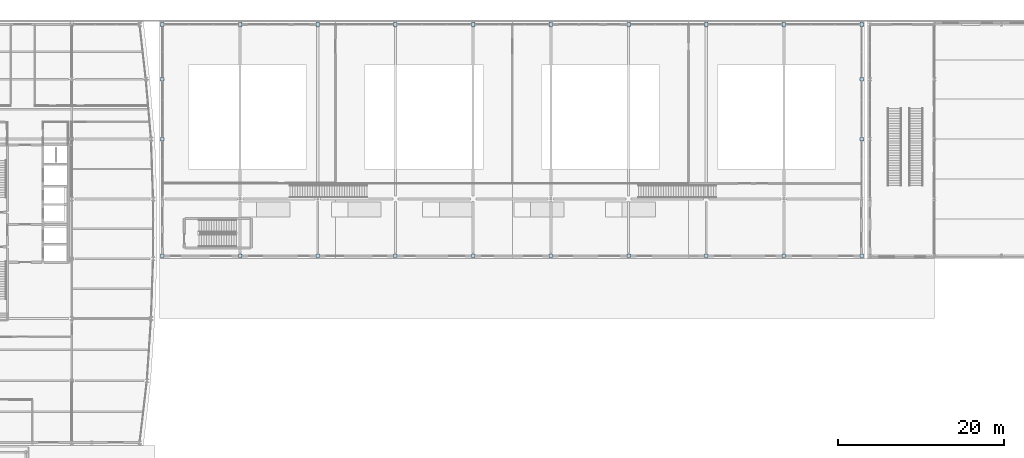
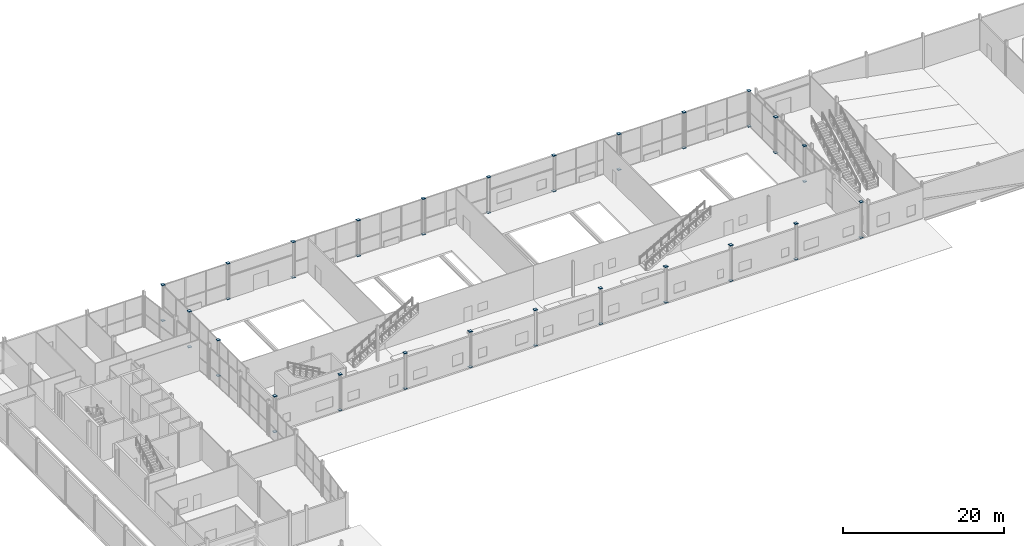
# One storey, part 61 of 83: 48 plates.
"""IFC4 building model written with IfcOpenShell, lengths in metres."""

from ifc_helpers import new_model, si_unit, direction, frame, origin, origin_2d, place, context, subcontext, project, spatial, rectangle, extrude, material, layer, layer_set, type_object, element, save


model = new_model("IFC4")

# Units and contexts
model_context = context("Model", 3, precision=1e-05, world=origin(), true_north=direction((0.0, 1.0)))
body_context = subcontext(model_context, "Body", "Model", "MODEL_VIEW")
ifc_project = project(units=[si_unit("LENGTHUNIT", "METRE"), si_unit("AREAUNIT", "SQUARE_METRE"), si_unit("VOLUMEUNIT", "CUBIC_METRE"), si_unit("PLANEANGLEUNIT", "RADIAN"), si_unit("MASSUNIT", "GRAM", prefix="KILO")], contexts=[model_context])

# Site, building, storey
site_placement = place(None, origin())
site = spatial("IfcSite", under=ifc_project, at=site_placement, CompositionType="ELEMENT")
building_placement = place(site_placement, origin())
building = spatial("IfcBuilding", under=site, at=building_placement, Name="Quillay Park Conservatory", CompositionType="ELEMENT")
storey_placement = place(building_placement, origin())
storey = spatial("IfcBuildingStorey", under=building, at=storey_placement, Name="L00", CompositionType="ELEMENT", Elevation=0.0)

# Plates
ifc_material = material(Name="Steel S355J2H", Category="steel")
ifc_layer = layer(ifc_material, 0.02392578125)
ifc_layer_set = layer_set([ifc_layer], Name="HOLLOW END CAP PLATE 420 (Steel S355J2H)")
plate_type = type_object("IfcPlateType", Name="HOLLOW END CAP PLATE 420", PredefinedType="USERDEFINED", material=ifc_layer_set)
for number, where, z_axis, x_axis, name in (
    (1, (30.64990234375, 85.550048828125, -0.0390625), (0.0, 0.0, 1.0), (1.0, 0.0, 0.0), "Hollow steel end cap ECP-0001"),
    (2, (30.64990234375, 85.550048828125, 5.3828125), (0.0, 0.0, 1.0), (1.0, 0.0, 0.0), "Hollow steel end cap ECP-0002"),
    (3, (30.64990234375, 113.39990234375, -0.0390625), (0.0, 0.0, 1.0), (1.0, 0.0, 0.0), "Hollow steel end cap ECP-0004"),
    (4, (30.64990234375, 113.39990234375, 5.3828125), (0.0, 0.0, 1.0), (1.0, 0.0, 0.0), "Hollow steel end cap ECP-0005"),
    (5, (40.005615234375, 85.550048828125, -0.0390625), (0.0, 0.0, 1.0), (1.0, 0.0, 0.0), "Hollow steel end cap ECP-0007"),
    (6, (40.005615234375, 85.550048828125, 5.3828125), (0.0, 0.0, 1.0), (1.0, 0.0, 0.0), "Hollow steel end cap ECP-0008"),
    (7, (40.005615234375, 113.39990234375, -0.0390625), (0.0, 0.0, 1.0), (1.0, 0.0, 0.0), "Hollow steel end cap ECP-0010"),
    (8, (40.005615234375, 113.39990234375, 5.3828125), (0.0, 0.0, 1.0), (1.0, 0.0, 0.0), "Hollow steel end cap ECP-0011"),
    (9, (49.361083984375, 85.550048828125, -0.0390625), (0.0, 0.0, 1.0), (1.0, 0.0, 0.0), "Hollow steel end cap ECP-0013"),
    (10, (49.361083984375, 85.550048828125, 5.3828125), (0.0, 0.0, 1.0), (1.0, 0.0, 0.0), "Hollow steel end cap ECP-0014"),
    (11, (49.361083984375, 113.39990234375, -0.0390625), (0.0, 0.0, 1.0), (1.0, 0.0, 0.0), "Hollow steel end cap ECP-0016"),
    (12, (49.361083984375, 113.39990234375, 5.3828125), (0.0, 0.0, 1.0), (1.0, 0.0, 0.0), "Hollow steel end cap ECP-0017"),
    (13, (58.716796875, 85.550048828125, -0.0390625), (0.0, 0.0, 1.0), (1.0, 0.0, 0.0), "Hollow steel end cap ECP-0019"),
    (14, (58.716796875, 85.550048828125, 5.3828125), (0.0, 0.0, 1.0), (1.0, 0.0, 0.0), "Hollow steel end cap ECP-0020"),
    (15, (58.716796875, 113.39990234375, -0.0390625), (0.0, 0.0, 1.0), (1.0, 0.0, 0.0), "Hollow steel end cap ECP-0022"),
    (16, (58.716796875, 113.39990234375, 5.3828125), (0.0, 0.0, 1.0), (1.0, 0.0, 0.0), "Hollow steel end cap ECP-0023"),
    (17, (68.072265625, 85.550048828125, -0.0390625), (0.0, 0.0, 1.0), (1.0, 0.0, 0.0), "Hollow steel end cap ECP-0025"),
    (18, (68.072265625, 85.550048828125, 5.3828125), (0.0, 0.0, 1.0), (1.0, 0.0, 0.0), "Hollow steel end cap ECP-0026"),
    (19, (68.072265625, 113.39990234375, -0.0390625), (0.0, 0.0, 1.0), (1.0, 0.0, 0.0), "Hollow steel end cap ECP-0028"),
    (20, (68.072265625, 113.39990234375, 5.3828125), (0.0, 0.0, 1.0), (1.0, 0.0, 0.0), "Hollow steel end cap ECP-0029"),
    (21, (77.427734375, 85.550048828125, -0.0390625), (0.0, 0.0, 1.0), (1.0, 0.0, 0.0), "Hollow steel end cap ECP-0031"),
    (22, (77.427734375, 85.550048828125, 5.3828125), (0.0, 0.0, 1.0), (1.0, 0.0, 0.0), "Hollow steel end cap ECP-0032"),
    (23, (77.427734375, 113.39990234375, -0.0390625), (0.0, 0.0, 1.0), (1.0, 0.0, 0.0), "Hollow steel end cap ECP-0034"),
    (24, (77.427734375, 113.39990234375, 5.3828125), (0.0, 0.0, 1.0), (1.0, 0.0, 0.0), "Hollow steel end cap ECP-0035"),
    (25, (86.783203125, 85.550048828125, -0.0390625), (0.0, 0.0, 1.0), (1.0, 0.0, 0.0), "Hollow steel end cap ECP-0037"),
    (26, (86.783203125, 85.550048828125, 5.3828125), (0.0, 0.0, 1.0), (1.0, 0.0, 0.0), "Hollow steel end cap ECP-0038"),
    (27, (86.783203125, 113.39990234375, -0.0390625), (0.0, 0.0, 1.0), (1.0, 0.0, 0.0), "Hollow steel end cap ECP-0040"),
    (28, (86.783203125, 113.39990234375, 5.3828125), (0.0, 0.0, 1.0), (1.0, 0.0, 0.0), "Hollow steel end cap ECP-0041"),
    (29, (96.138916015625, 85.550048828125, -0.0390625), (0.0, 0.0, 1.0), (1.0, 0.0, 0.0), "Hollow steel end cap ECP-0043"),
    (30, (96.138916015625, 85.550048828125, 5.3828125), (0.0, 0.0, 1.0), (1.0, 0.0, 0.0), "Hollow steel end cap ECP-0044"),
    (31, (96.138916015625, 113.39990234375, -0.0390625), (0.0, 0.0, 1.0), (1.0, 0.0, 0.0), "Hollow steel end cap ECP-0046"),
    (32, (96.138916015625, 113.39990234375, 5.3828125), (0.0, 0.0, 1.0), (1.0, 0.0, 0.0), "Hollow steel end cap ECP-0047"),
    (33, (105.494384765625, 85.550048828125, -0.0390625), (0.0, 0.0, 1.0), (1.0, 0.0, 0.0), "Hollow steel end cap ECP-0049"),
    (34, (105.494384765625, 85.550048828125, 5.3828125), (0.0, 0.0, 1.0), (1.0, 0.0, 0.0), "Hollow steel end cap ECP-0050"),
    (35, (105.494384765625, 113.39990234375, -0.0390625), (0.0, 0.0, 1.0), (1.0, 0.0, 0.0), "Hollow steel end cap ECP-0052"),
    (36, (105.494384765625, 113.39990234375, 5.3828125), (0.0, 0.0, 1.0), (1.0, 0.0, 0.0), "Hollow steel end cap ECP-0053"),
    (37, (114.85009765625, 85.550048828125, -0.0390625), (0.0, 0.0, 1.0), (1.0, 0.0, 0.0), "Hollow steel end cap ECP-0055"),
    (38, (114.85009765625, 85.550048828125, 5.3828125), (0.0, 0.0, 1.0), (1.0, 0.0, 0.0), "Hollow steel end cap ECP-0056"),
    (39, (114.85009765625, 113.39990234375, -0.0390625), (0.0, 0.0, 1.0), (1.0, 0.0, 0.0), "Hollow steel end cap ECP-0058"),
    (40, (114.85009765625, 113.39990234375, 5.3828125), (0.0, 0.0, 1.0), (1.0, 0.0, 0.0), "Hollow steel end cap ECP-0059"),
    (41, (30.64990234375, 99.60009765625, -0.0390625), (0.0, 0.0, 1.0), (1.0, 0.0, 0.0), "Hollow steel end cap ECP-0061"),
    (42, (30.64990234375, 99.60009765625, 5.3828125), (0.0, 0.0, 1.0), (1.0, 0.0, 0.0), "Hollow steel end cap ECP-0062"),
    (43, (30.64990234375, 106.800048828125, -0.0390625), (0.0, 0.0, 1.0), (1.0, 0.0, 0.0), "Hollow steel end cap ECP-0064"),
    (44, (30.64990234375, 106.800048828125, 5.3828125), (0.0, 0.0, 1.0), (1.0, 0.0, 0.0), "Hollow steel end cap ECP-0065"),
    (45, (114.85009765625, 99.60009765625, -0.0390625), (0.0, 0.0, 1.0), (1.0, 0.0, 0.0), "Hollow steel end cap ECP-0067"),
    (46, (114.85009765625, 99.60009765625, 5.3828125), (0.0, 0.0, 1.0), (1.0, 0.0, 0.0), "Hollow steel end cap ECP-0068"),
    (47, (114.85009765625, 106.800048828125, -0.0390625), (0.0, 0.0, 1.0), (1.0, 0.0, 0.0), "Hollow steel end cap ECP-0070"),
    (48, (114.85009765625, 106.800048828125, 5.3828125), (0.0, 0.0, 1.0), (1.0, 0.0, 0.0), "Hollow steel end cap ECP-0071"),
):
    element("IfcPlate", number, at=place(storey_placement, frame(where, z_axis=z_axis, x_axis=x_axis)), inside=storey, type_object=plate_type, Name=name, ObjectType="FLANGE PLATE", PredefinedType="USERDEFINED", context=body_context, shape_type="SweptSolid", body=[
        extrude(rectangle(XDim=0.429931640625, YDim=0.429931640625, at=origin_2d()), origin(), (0.0, 0.0, 1.0), 0.055908203125),
    ])

save(model, "model.ifc")
